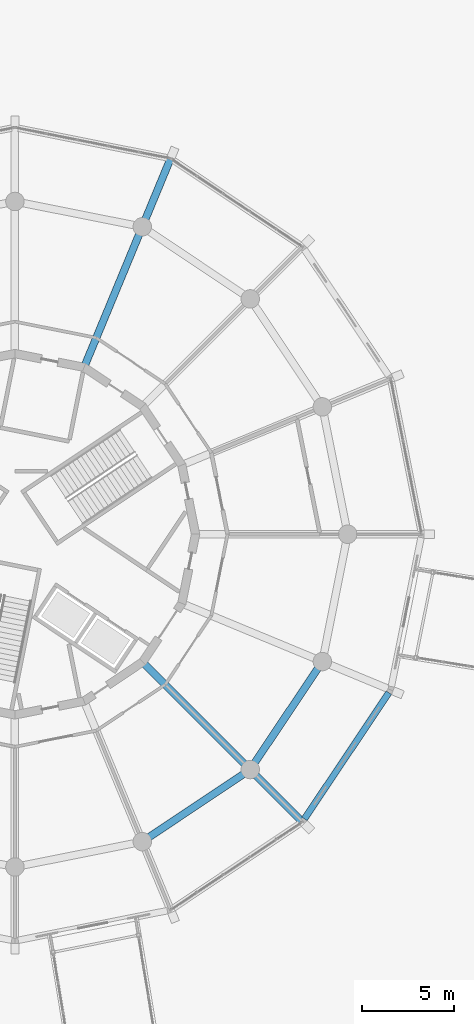
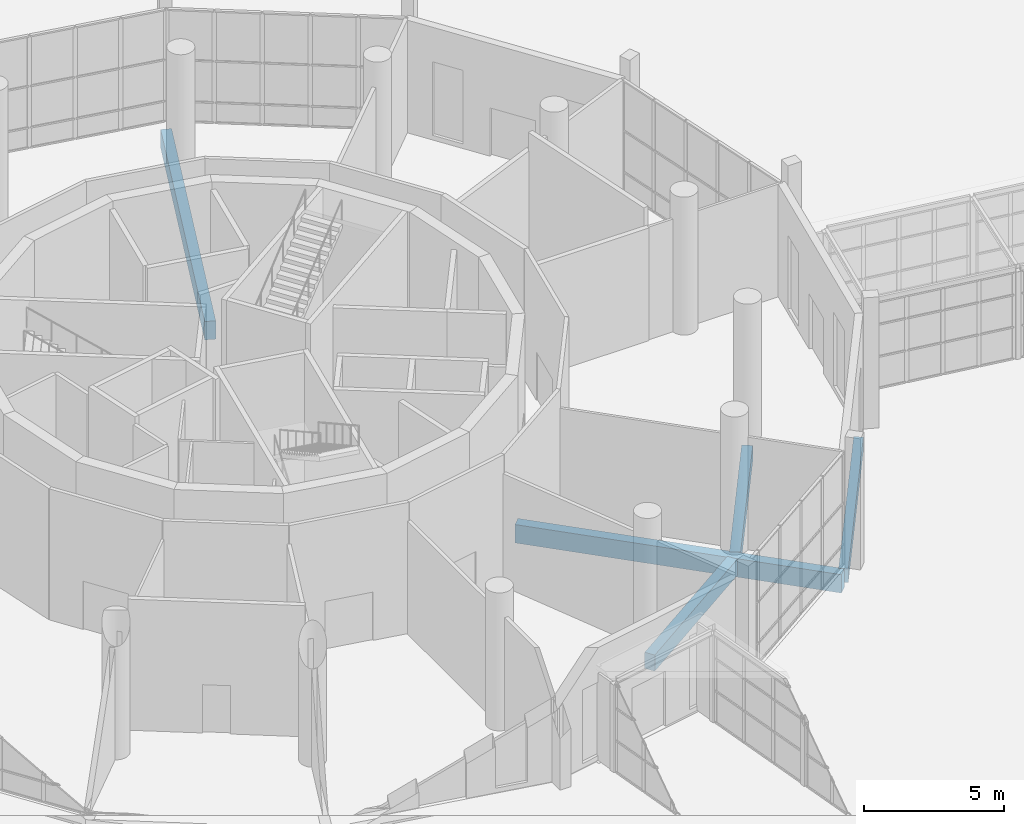
# One storey, part 67 of 226: 5 beams.
"""IFC4 building model written with IfcOpenShell, lengths in metres."""

from ifc_helpers import new_model, si_unit, direction, frame, origin, origin_2d, place, context, subcontext, project, spatial, rectangle, extrude, material, material_profile, profile_set, type_object, element, save


model = new_model("IFC4")

# Units and contexts
model_context = context("Model", 3, precision=1e-05, world=origin(), true_north=direction((0.0, 1.0)))
body_context = subcontext(model_context, "Body", "Model", "MODEL_VIEW")
ifc_project = project(units=[si_unit("LENGTHUNIT", "METRE"), si_unit("AREAUNIT", "SQUARE_METRE"), si_unit("VOLUMEUNIT", "CUBIC_METRE"), si_unit("PLANEANGLEUNIT", "RADIAN"), si_unit("MASSUNIT", "GRAM", prefix="KILO")], contexts=[model_context])

# Site, building, storey
site_placement = place(None, origin())
site = spatial("IfcSite", under=ifc_project, at=site_placement, CompositionType="ELEMENT")
building_placement = place(site_placement, origin())
building = spatial("IfcBuilding", under=site, at=building_placement, Name="Ceibo Conservatory and Research Tower", CompositionType="ELEMENT")
storey_placement = place(building_placement, origin())
storey = spatial("IfcBuildingStorey", under=building, at=storey_placement, Name="L00", CompositionType="ELEMENT", Elevation=0.0)

# Beams
ifc_material = material(Name="Concrete C35/45", Category="concrete")
ifc_material_profile_1 = material_profile(ifc_material, rectangle(XDim=0.35009765625, YDim=0.60009765625, at=origin_2d()), Name="RC 350x600")
ifc_profile_set_1 = profile_set([ifc_material_profile_1], Name="Concrete C35/45")
beam_type_1 = type_object("IfcBeamType", Name="RC beam 350x600 C35", PredefinedType="BEAM", material=ifc_profile_set_1)
beam_1_placement = place(storey_placement, frame((63.658447265625, 104.5966796875, -0.64990234375), z_axis=(0.555584480406, 0.831460092327, 0.0), x_axis=(-0.831460092327, 0.555584480406, 0.0)))
element("IfcBeam", 1, at=beam_1_placement, inside=storey, type_object=beam_type_1, Name="Edge beam 15 L00", PredefinedType="BEAM", context=body_context, shape_type="SweptSolid", body=[
    extrude(rectangle(XDim=0.35009765625, YDim=0.60009765625, at=origin_2d()), origin(), (0.0, 0.0, 1.0), 8.216064453125),
])
ifc_material_profile_2 = material_profile(ifc_material, rectangle(XDim=0.39990234375, YDim=0.699951171875, at=origin_2d()), Name="RC 400x700")
ifc_profile_set_2 = profile_set([ifc_material_profile_2], Name="Concrete C35/45")
beam_type_2 = type_object("IfcBeamType", Name="RC beam 400x700 C35", PredefinedType="BEAM", material=ifc_profile_set_2)
for number, where, z_axis, x_axis, name in (
    (2, (55.041259765625, 103.472412109375, -0.699951171875), (0.83146854485, 0.555571830572, 0.0), (-0.555571830572, 0.83146854485, 0.0), "Ring beam 14 L00"),
    (3, (60.830078125, 107.425048828125, -0.699951171875), (0.555571830572, 0.83146854485, 0.0), (-0.83146854485, 0.555571830572, 0.0), "Ring beam 15 L00"),
):
    element("IfcBeam", number, at=place(storey_placement, frame(where, z_axis=z_axis, x_axis=x_axis)), inside=storey, type_object=beam_type_2, Name=name, PredefinedType="BEAM", context=body_context, shape_type="SweptSolid", body=[
        extrude(rectangle(XDim=0.39990234375, YDim=0.699951171875, at=origin_2d()), origin(), (0.0, 0.0, 1.0), 6.6552734375),
    ])
ifc_material_profile_3 = material_profile(ifc_material, rectangle(XDim=0.39990234375, YDim=0.800048828125, at=origin_2d()), Name="RC 400x800")
ifc_profile_set_3 = profile_set([ifc_material_profile_3], Name="Concrete C35/45")
beam_type_3 = type_object("IfcBeamType", Name="RC beam 400x800 C35", PredefinedType="BEAM", material=ifc_profile_set_3)
beam_2_placement = place(storey_placement, frame((51.8076171875, 129.192626953125, -0.75), z_axis=(0.382696089639, 0.923874289595, 0.0), x_axis=(-0.923874289595, 0.382696089639, 0.0)))
element("IfcBeam", 4, at=beam_2_placement, inside=storey, type_object=beam_type_3, Name="Radial beam R4 L00", PredefinedType="BEAM", context=body_context, shape_type="SweptSolid", body=[
    extrude(rectangle(XDim=0.39990234375, YDim=0.800048828125, at=origin_2d()), origin(), (0.0, 0.0, 1.0), 12.045166015625),
])
beam_3_placement = place(storey_placement, frame((55.03564453125, 112.96435546875, -0.75), z_axis=(0.707106781187, -0.707106781187, 0.0), x_axis=(0.707106781187, 0.707106781187, 0.0)))
element("IfcBeam", 5, at=beam_3_placement, inside=storey, type_object=beam_type_3, Name="Radial beam R15 L00", PredefinedType="BEAM", context=body_context, shape_type="SweptSolid", body=[
    extrude(rectangle(XDim=0.39990234375, YDim=0.800048828125, at=origin_2d()), origin(), (0.0, 0.0, 1.0), 12.044921875),
])

save(model, "model.ifc")
